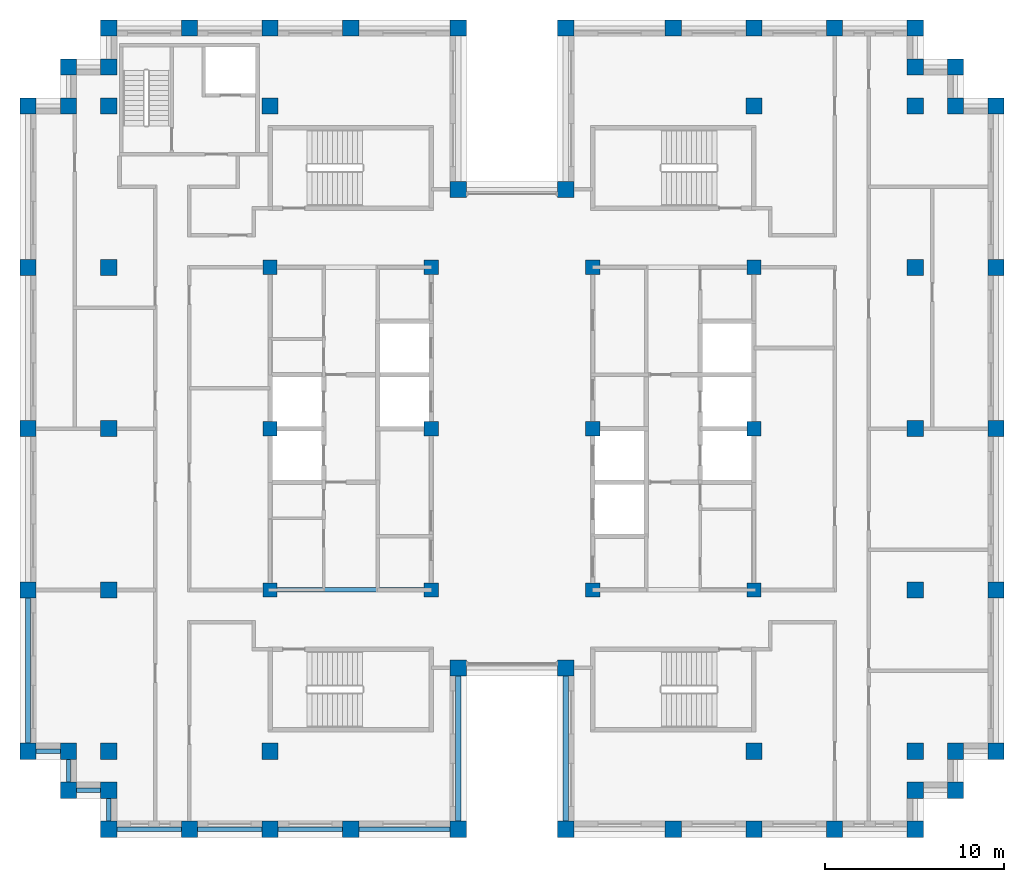
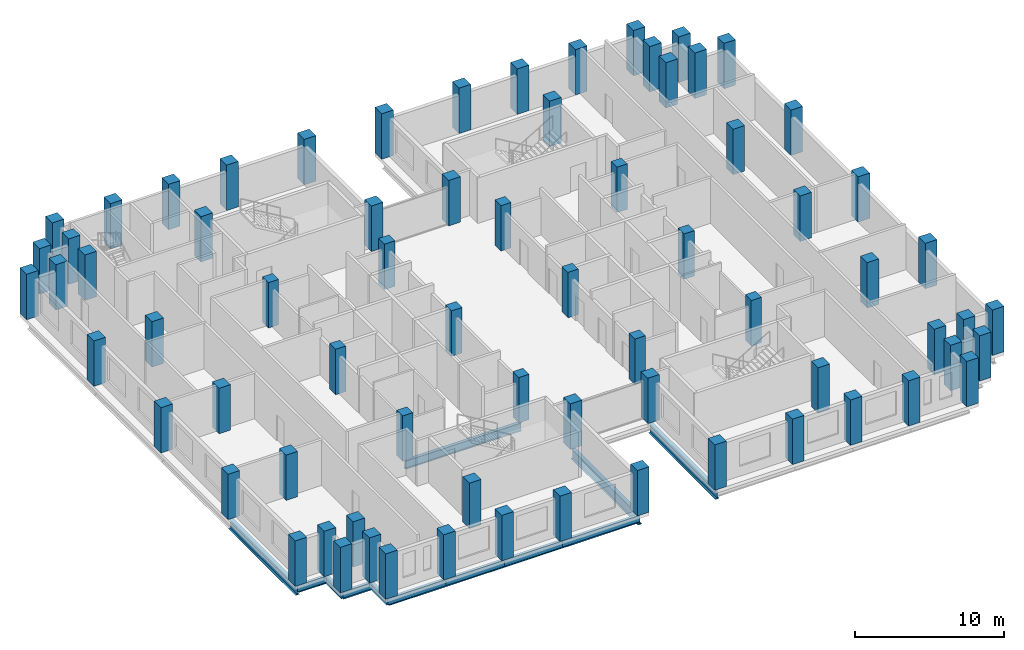
# One storey, part 1 of 13: 72 columns, 12 beams.
"""IFC4 building model written with IfcOpenShell, lengths in metres."""

import ifcopenshell
import ifcopenshell.guid

model = None  # the IFC model being written
_history = None  # IfcOwnerHistory: only IFC2X3 demands one
_inside = {}  # id of a spatial element -> (the spatial element, [elements in it])
_under = {}  # id of a project, library or spatial element -> (it, [spatial elements below it])
_declared = {}  # id of a project -> (the project, [libraries it declares])
_typed = {}  # id of a type object -> (the type object, [elements of that type])
_made_of = {}  # id of a material, layer set ... -> (it, [elements and type objects made of it])


def new_model(schema):
    """Start an empty IFC model of exactly this schema.

    Asked for "IFC4X3", IfcOpenShell would pick the latest addendum, in which some entities
    have other attributes; the version numbers below select the first issue.
    IFC2X3 requires an IfcOwnerHistory on every rooted entity: one is made here for all.
    """
    global model, _history
    if schema == "IFC4X3":
        model = ifcopenshell.file(schema_version=(4, 3, 0, 0))
    else:
        model = ifcopenshell.file(schema=schema)
    _inside.clear()
    _under.clear()
    _declared.clear()
    _typed.clear()
    _made_of.clear()
    _history = None
    if model.schema == "IFC2X3":
        org = make("IfcOrganization", Name="unknown")
        user = make(
            "IfcPersonAndOrganization",
            ThePerson=make("IfcPerson", FamilyName="unknown"),
            TheOrganization=org,
        )
        app = make(
            "IfcApplication",
            ApplicationDeveloper=org,
            Version="unknown",
            ApplicationFullName="unknown",
            ApplicationIdentifier="unknown",
        )
        _history = make(
            "IfcOwnerHistory",
            OwningUser=user,
            OwningApplication=app,
            ChangeAction="ADDED",
            CreationDate=0,
        )
    return model


def make(cls, **values):
    """One entity of the class cls with the attributes given. An attribute that is None is left unset."""
    return model.create_entity(
        cls, **{name: value for name, value in values.items() if value is not None}
    )


def rooted(cls, **values):
    """An entity with a GlobalId (a new one), such as an element, a storey or a relation."""
    return make(cls, GlobalId=ifcopenshell.guid.new(), OwnerHistory=_history, **values)


def si_unit(unit_type, name, prefix=None):
    """IfcSIUnit, for example si_unit("LENGTHUNIT", "METRE", prefix="MILLI")."""
    return make("IfcSIUnit", UnitType=unit_type, Prefix=prefix, Name=name)


def assignment(units):
    """IfcUnitAssignment: the units of a project."""
    return None if units is None else make("IfcUnitAssignment", Units=units)


def point(xyz):
    """IfcCartesianPoint."""
    return None if xyz is None else make("IfcCartesianPoint", Coordinates=xyz)


def direction(xyz):
    """IfcDirection."""
    return None if xyz is None else make("IfcDirection", DirectionRatios=xyz)


def frame(location, z_axis=None, x_axis=None):
    """IfcAxis2Placement3D, a coordinate frame: its origin and axes. An axis left out is left unset."""
    return make(
        "IfcAxis2Placement3D",
        Location=point(location),
        Axis=direction(z_axis),
        RefDirection=direction(x_axis),
    )


def frame_2d(location, x_axis=None):
    """IfcAxis2Placement2D, a coordinate frame in the plane: its origin and x axis."""
    return make(
        "IfcAxis2Placement2D", Location=point(location), RefDirection=direction(x_axis)
    )


def origin():
    """The frame at (0, 0, 0) with its axes left unset."""
    return frame((0.0, 0.0, 0.0))


def origin_2d():
    """The frame at (0, 0) in the plane with its x axis left unset."""
    return frame_2d((0.0, 0.0))


def place(relative_to, where):
    """IfcLocalPlacement: puts the frame where relative to a parent placement (None: the world)."""
    return make(
        "IfcLocalPlacement", PlacementRelTo=relative_to, RelativePlacement=where
    )


def context(
    kind, dimensions, precision=None, world=None, true_north=None, identifier=None
):
    """IfcGeometricRepresentationContext, for example the 3D "Model" context."""
    return make(
        "IfcGeometricRepresentationContext",
        ContextIdentifier=identifier,
        ContextType=kind,
        CoordinateSpaceDimension=dimensions,
        Precision=precision,
        WorldCoordinateSystem=world,
        TrueNorth=true_north,
    )


def subcontext(parent, identifier, kind, view, scale=None):
    """IfcGeometricRepresentationSubContext, for example "Body" below "Model"."""
    return make(
        "IfcGeometricRepresentationSubContext",
        ContextIdentifier=identifier,
        ContextType=kind,
        ParentContext=parent,
        TargetScale=scale,
        TargetView=view,
    )


def project(units=None, contexts=None):
    """IfcProject with its units and contexts."""
    return rooted(
        "IfcProject",
        Name="project",
        RepresentationContexts=contexts,
        UnitsInContext=assignment(units),
    )


def spatial(cls, under=None, at=None, **own):
    """A site, building, storey or space (cls), placed at a placement, below another one or the project."""
    s = rooted(cls, ObjectPlacement=at, **own)
    if under is not None:
        _under.setdefault(under.id(), (under, []))[1].append(s)
    return s


def profile(cls, at=None, kind="AREA", **sizes):
    """A parametric profile (cls). Its sizes go by their IFC names, for example OverallWidth=200.0."""
    return make(cls, ProfileType=kind, Position=at, **sizes)


def rectangle(**sizes):
    """IfcRectangleProfileDef."""
    return profile("IfcRectangleProfileDef", **sizes)


def i_section(**sizes):
    """IfcIShapeProfileDef."""
    return profile("IfcIShapeProfileDef", **sizes)


def extrude(swept, where, along, depth):
    """IfcExtrudedAreaSolid: the profile swept, set in the frame where, extruded along a direction by depth."""
    return make(
        "IfcExtrudedAreaSolid",
        SweptArea=swept,
        Position=where,
        ExtrudedDirection=direction(along),
        Depth=depth,
    )


def shape(context_of_items, identifier, shape_type, items):
    """IfcShapeRepresentation: the items that make up one representation, for example the "Body"."""
    return make(
        "IfcShapeRepresentation",
        ContextOfItems=context_of_items,
        RepresentationIdentifier=identifier,
        RepresentationType=shape_type,
        Items=items,
    )


def material(Name=None, Category=None):
    """IfcMaterial."""
    return make("IfcMaterial", Name=Name, Category=Category)


def material_profile(
    of_material, cross_section, Name=None, Category=None, Priority=None
):
    """IfcMaterialProfile: a cross section and its material."""
    return make(
        "IfcMaterialProfile",
        Name=Name,
        Material=of_material,
        Profile=cross_section,
        Priority=Priority,
        Category=Category,
    )


def profile_set(profiles, Name=None, composite=None):
    """IfcMaterialProfileSet."""
    return make(
        "IfcMaterialProfileSet",
        Name=Name,
        MaterialProfiles=profiles,
        CompositeProfile=composite,
    )


def made_of(thing, what):
    """Note that an element or type object is made of a material, layer set ...; save() writes the relation."""
    if what is not None:
        _made_of.setdefault(what.id(), (what, []))[1].append(thing)
    return thing


def type_object(cls, material=None, **own):
    """A type object (cls), such as IfcWallType, which elements share."""
    return made_of(rooted(cls, **own), material)


def element(
    cls,
    number,
    at=None,
    inside=None,
    cuts=None,
    type_object=None,
    material=None,
    context=None,
    identifier="Body",
    shape_type=None,
    held_by="IfcProductDefinitionShape",
    body=None,
    shapes=None,
    **own,
):
    """One element of the class cls, such as IfcWall. Its Tag is "e" and its number.

    at: its placement. inside: the storey or other place that contains it. cuts: it is an
    opening in that element (IfcRelVoidsElement). A single representation is given by context,
    identifier, shape_type and body (its items); several are given by shapes. held_by: the class
    of the entity that holds the representations. save() writes the other relations.
    """
    e = rooted(cls, Tag="e%d" % number, ObjectPlacement=at, **own)
    if body is not None:
        shapes = [shape(context, identifier, shape_type, body)]
    if shapes is not None:
        e.Representation = make(held_by, Representations=shapes)
    if inside is not None:
        _inside.setdefault(inside.id(), (inside, []))[1].append(e)
    if cuts is not None:
        rooted(
            "IfcRelVoidsElement", RelatingBuildingElement=cuts, RelatedOpeningElement=e
        )
    if type_object is not None:
        _typed.setdefault(type_object.id(), (type_object, []))[1].append(e)
    return made_of(e, material)


def aggregate(whole, parts):
    """IfcRelAggregates: a whole, such as a stair, and the parts it consists of."""
    return rooted("IfcRelAggregates", RelatingObject=whole, RelatedObjects=parts)


def save(model, path):
    """Write the relations noted so far, then the file.

    IfcRelAggregates (storeys below a building ...), IfcRelContainedInSpatialStructure (elements
    in a storey), IfcRelDefinesByType, IfcRelAssociatesMaterial and IfcRelDeclares: one each for
    every whole, place, type object, material and project.
    """
    for whole, parts in _under.values():
        aggregate(whole, parts)
    for where, things in _inside.values():
        rooted(
            "IfcRelContainedInSpatialStructure",
            RelatedElements=things,
            RelatingStructure=where,
        )
    for kind, things in _typed.values():
        rooted("IfcRelDefinesByType", RelatedObjects=things, RelatingType=kind)
    for what, things in _made_of.values():
        rooted("IfcRelAssociatesMaterial", RelatedObjects=things, RelatingMaterial=what)
    for by, libraries in _declared.values():
        rooted("IfcRelDeclares", RelatingContext=by, RelatedDefinitions=libraries)
    model.write(path)


model = new_model("IFC4")

# Units and contexts
model_context = context("Model", 3, precision=1e-05, world=origin(), true_north=direction((0.0, 1.0)))
body_context = subcontext(model_context, "Body", "Model", "MODEL_VIEW")
ifc_project = project(units=[si_unit("LENGTHUNIT", "METRE"), si_unit("AREAUNIT", "SQUARE_METRE"), si_unit("VOLUMEUNIT", "CUBIC_METRE"), si_unit("PLANEANGLEUNIT", "RADIAN"), si_unit("MASSUNIT", "GRAM", prefix="KILO")], contexts=[model_context])

# Site, building, storey
site_placement = place(None, origin())
site = spatial("IfcSite", under=ifc_project, at=site_placement, CompositionType="ELEMENT")
building_placement = place(site_placement, origin())
building = spatial("IfcBuilding", under=site, at=building_placement, Name="Corbelhall Arena Tower", CompositionType="ELEMENT")
storey_placement = place(building_placement, frame((0.0, 0.0, 250.0)))
storey = spatial("IfcBuildingStorey", under=building, at=storey_placement, Name="L53", CompositionType="ELEMENT", Elevation=250.0)

# Columns
ifc_material_1 = material(Name="Concrete C80/95", Category="concrete")
ifc_material_profile_1 = material_profile(ifc_material_1, rectangle(XDim=0.800048828125, YDim=0.800048828125, at=origin_2d()))
ifc_profile_set_1 = profile_set([ifc_material_profile_1], Name="Concrete C80/95")
column_type_1 = type_object("IfcColumnType", Name="ST-COL-RC 800x800", PredefinedType="COLUMN", material=ifc_profile_set_1)
for number, where, z_axis, x_axis, name in (
    (1, (4.5, 0.0, 0.0), (0.0, 0.0, 1.0), (1.0, 0.0, 0.0), "Column KE+0450+0000"),
    (2, (4.5, 9.0, 0.0), (0.0, 0.0, 1.0), (1.0, 0.0, 0.0), "Column KE+0450+0900"),
    (3, (4.5, -9.0, 0.0), (0.0, 0.0, 1.0), (1.0, 0.0, 0.0), "Column KE+0450-0900"),
    (4, (13.5, 0.0, 0.0), (0.0, 0.0, 1.0), (1.0, 0.0, 0.0), "Column KE+1350+0000"),
    (5, (13.5, 9.0, 0.0), (0.0, 0.0, 1.0), (1.0, 0.0, 0.0), "Column KE+1350+0900"),
    (6, (13.5, -9.0, 0.0), (0.0, 0.0, 1.0), (1.0, 0.0, 0.0), "Column KE+1350-0900"),
    (7, (-4.5, 0.0, 0.0), (0.0, 0.0, 1.0), (1.0, 0.0, 0.0), "Column KW-0450+0000"),
    (8, (-4.5, 9.0, 0.0), (0.0, 0.0, 1.0), (1.0, 0.0, 0.0), "Column KW-0450+0900"),
    (9, (-4.5, -9.0, 0.0), (0.0, 0.0, 1.0), (1.0, 0.0, 0.0), "Column KW-0450-0900"),
    (10, (-13.5, 0.0, 0.0), (0.0, 0.0, 1.0), (1.0, 0.0, 0.0), "Column KW-1350+0000"),
    (11, (-13.5, 9.0, 0.0), (0.0, 0.0, 1.0), (1.0, 0.0, 0.0), "Column KW-1350+0900"),
    (12, (-13.5, -9.0, 0.0), (0.0, 0.0, 1.0), (1.0, 0.0, 0.0), "Column KW-1350-0900"),
):
    element("IfcColumn", number, at=place(storey_placement, frame(where, z_axis=z_axis, x_axis=x_axis)), inside=storey, type_object=column_type_1, Name=name, PredefinedType="COLUMN", context=body_context, shape_type="SweptSolid", body=[
        extrude(rectangle(XDim=0.800048828125, YDim=0.800048828125, at=origin_2d()), origin(), (0.0, 0.0, 1.0), 3.719970703125),
    ])
ifc_material_profile_2 = material_profile(ifc_material_1, rectangle(XDim=0.89990234375, YDim=0.89990234375, at=origin_2d()))
ifc_profile_set_2 = profile_set([ifc_material_profile_2], Name="Concrete C80/95")
column_type_2 = type_object("IfcColumnType", Name="ST-COL-RC 900x900", PredefinedType="COLUMN", material=ifc_profile_set_2)
for number, where, z_axis, x_axis, name in (
    (13, (13.5, 18.0, 0.0), (0.0, 0.0, 1.0), (1.0, 0.0, 0.0), "Column IE13+1800"),
    (14, (13.5, -18.0, 0.0), (0.0, 0.0, 1.0), (1.0, 0.0, 0.0), "Column IE13-1800"),
    (15, (22.5, 0.0, 0.0), (0.0, 0.0, 1.0), (1.0, 0.0, 0.0), "Column IE22+0000"),
    (16, (22.5, 9.0, 0.0), (0.0, 0.0, 1.0), (1.0, 0.0, 0.0), "Column IE22+0900"),
    (17, (22.5, 18.0, 0.0), (0.0, 0.0, 1.0), (1.0, 0.0, 0.0), "Column IE22+1800"),
    (18, (22.5, -9.0, 0.0), (0.0, 0.0, 1.0), (1.0, 0.0, 0.0), "Column IE22-0900"),
    (19, (22.5, -18.0, 0.0), (0.0, 0.0, 1.0), (1.0, 0.0, 0.0), "Column IE22-1800"),
    (20, (-13.5, 18.0, 0.0), (0.0, 0.0, 1.0), (1.0, 0.0, 0.0), "Column IW13+1800"),
    (21, (-13.5, -18.0, 0.0), (0.0, 0.0, 1.0), (1.0, 0.0, 0.0), "Column IW13-1800"),
    (22, (-22.5, 0.0, 0.0), (0.0, 0.0, 1.0), (1.0, 0.0, 0.0), "Column IW22+0000"),
    (23, (-22.5, 9.0, 0.0), (0.0, 0.0, 1.0), (1.0, 0.0, 0.0), "Column IW22+0900"),
    (24, (-22.5, 18.0, 0.0), (0.0, 0.0, 1.0), (1.0, 0.0, 0.0), "Column IW22+1800"),
    (25, (-22.5, -9.0, 0.0), (0.0, 0.0, 1.0), (1.0, 0.0, 0.0), "Column IW22-0900"),
    (26, (-22.5, -18.0, 0.0), (0.0, 0.0, 1.0), (1.0, 0.0, 0.0), "Column IW22-1800"),
    (27, (27.0, 0.0, 0.0), (0.0, 0.0, 1.0), (0.0, 1.0, 0.0), "Column PE+0000"),
    (28, (27.0, 9.0, 0.0), (0.0, 0.0, 1.0), (0.0, 1.0, 0.0), "Column PE+0900"),
    (29, (27.0, 18.0, 0.0), (0.0, 0.0, 1.0), (0.0, 1.0, 0.0), "Column PE+1800"),
    (30, (27.0, -9.0, 0.0), (0.0, 0.0, 1.0), (0.0, 1.0, 0.0), "Column PE-0900"),
    (31, (27.0, -18.0, 0.0), (0.0, 0.0, 1.0), (0.0, 1.0, 0.0), "Column PE-1800"),
    (32, (3.0, 22.35009765625, 0.0), (0.0, 0.0, 1.0), (1.0, 0.0, 0.0), "Column PNE0300"),
    (33, (9.0, 22.35009765625, 0.0), (0.0, 0.0, 1.0), (1.0, 0.0, 0.0), "Column PNE0900"),
    (34, (13.5, 22.35009765625, 0.0), (0.0, 0.0, 1.0), (1.0, 0.0, 0.0), "Column PNE1350"),
    (35, (18.0, 22.35009765625, 0.0), (0.0, 0.0, 1.0), (1.0, 0.0, 0.0), "Column PNE1800"),
    (36, (22.5, 22.35009765625, 0.0), (0.0, 0.0, 1.0), (1.0, 0.0, 0.0), "Column PNE2250"),
    (37, (-3.0, 22.35009765625, 0.0), (0.0, 0.0, 1.0), (1.0, 0.0, 0.0), "Column PNW0300"),
    (38, (-9.0, 22.35009765625, 0.0), (0.0, 0.0, 1.0), (1.0, 0.0, 0.0), "Column PNW0900"),
    (39, (-13.5, 22.35009765625, 0.0), (0.0, 0.0, 1.0), (1.0, 0.0, 0.0), "Column PNW1350"),
    (40, (-18.0, 22.35009765625, 0.0), (0.0, 0.0, 1.0), (1.0, 0.0, 0.0), "Column PNW1800"),
    (41, (-22.5, 22.35009765625, 0.0), (0.0, 0.0, 1.0), (1.0, 0.0, 0.0), "Column PNW2250"),
    (42, (3.0, -22.35009765625, 0.0), (0.0, 0.0, 1.0), (1.0, 0.0, 0.0), "Column PSE0300"),
    (43, (9.0, -22.35009765625, 0.0), (0.0, 0.0, 1.0), (1.0, 0.0, 0.0), "Column PSE0900"),
    (44, (13.5, -22.35009765625, 0.0), (0.0, 0.0, 1.0), (1.0, 0.0, 0.0), "Column PSE1350"),
    (45, (18.0, -22.35009765625, 0.0), (0.0, 0.0, 1.0), (1.0, 0.0, 0.0), "Column PSE1800"),
    (46, (22.5, -22.35009765625, 0.0), (0.0, 0.0, 1.0), (1.0, 0.0, 0.0), "Column PSE2250"),
    (47, (-3.0, -22.35009765625, 0.0), (0.0, 0.0, 1.0), (1.0, 0.0, 0.0), "Column PSW0300"),
    (48, (-9.0, -22.35009765625, 0.0), (0.0, 0.0, 1.0), (1.0, 0.0, 0.0), "Column PSW0900"),
    (49, (-13.5, -22.35009765625, 0.0), (0.0, 0.0, 1.0), (1.0, 0.0, 0.0), "Column PSW1350"),
    (50, (-18.0, -22.35009765625, 0.0), (0.0, 0.0, 1.0), (1.0, 0.0, 0.0), "Column PSW1800"),
    (51, (-22.5, -22.35009765625, 0.0), (0.0, 0.0, 1.0), (1.0, 0.0, 0.0), "Column PSW2250"),
    (52, (-27.0, 0.0, 0.0), (0.0, 0.0, 1.0), (0.0, 1.0, 0.0), "Column PW+0000"),
    (53, (-27.0, 9.0, 0.0), (0.0, 0.0, 1.0), (0.0, 1.0, 0.0), "Column PW+0900"),
    (54, (-27.0, 18.0, 0.0), (0.0, 0.0, 1.0), (0.0, 1.0, 0.0), "Column PW+1800"),
    (55, (-27.0, -9.0, 0.0), (0.0, 0.0, 1.0), (0.0, 1.0, 0.0), "Column PW-0900"),
    (56, (-27.0, -18.0, 0.0), (0.0, 0.0, 1.0), (0.0, 1.0, 0.0), "Column PW-1800"),
    (57, (3.0, 13.35009765625, 0.0), (0.0, 0.0, 1.0), (1.0, 0.0, 0.0), "Column SLNE2"),
    (58, (-3.0, 13.35009765625, 0.0), (0.0, 0.0, 1.0), (1.0, 0.0, 0.0), "Column SLNW2"),
    (59, (3.0, -13.35009765625, 0.0), (0.0, 0.0, 1.0), (1.0, 0.0, 0.0), "Column SLSE2"),
    (60, (-3.0, -13.35009765625, 0.0), (0.0, 0.0, 1.0), (1.0, 0.0, 0.0), "Column SLSW2"),
    (61, (22.5, 20.175048828125, 0.0), (0.0, 0.0, 1.0), (1.0, 0.0, 0.0), "Column XNE1"),
    (62, (24.75, 20.175048828125, 0.0), (0.0, 0.0, 1.0), (1.0, 0.0, 0.0), "Column XNE2"),
    (63, (24.75, 18.0, 0.0), (0.0, 0.0, 1.0), (1.0, 0.0, 0.0), "Column XNE3"),
    (64, (-22.5, 20.175048828125, 0.0), (0.0, 0.0, 1.0), (1.0, 0.0, 0.0), "Column XNW1"),
    (65, (-24.75, 20.175048828125, 0.0), (0.0, 0.0, 1.0), (1.0, 0.0, 0.0), "Column XNW2"),
    (66, (-24.75, 18.0, 0.0), (0.0, 0.0, 1.0), (1.0, 0.0, 0.0), "Column XNW3"),
    (67, (22.5, -20.175048828125, 0.0), (0.0, 0.0, 1.0), (1.0, 0.0, 0.0), "Column XSE1"),
    (68, (24.75, -20.175048828125, 0.0), (0.0, 0.0, 1.0), (1.0, 0.0, 0.0), "Column XSE2"),
    (69, (24.75, -18.0, 0.0), (0.0, 0.0, 1.0), (1.0, 0.0, 0.0), "Column XSE3"),
    (70, (-22.5, -20.175048828125, 0.0), (0.0, 0.0, 1.0), (1.0, 0.0, 0.0), "Column XSW1"),
    (71, (-24.75, -20.175048828125, 0.0), (0.0, 0.0, 1.0), (1.0, 0.0, 0.0), "Column XSW2"),
    (72, (-24.75, -18.0, 0.0), (0.0, 0.0, 1.0), (1.0, 0.0, 0.0), "Column XSW3"),
):
    element("IfcColumn", number, at=place(storey_placement, frame(where, z_axis=z_axis, x_axis=x_axis)), inside=storey, type_object=column_type_2, Name=name, PredefinedType="COLUMN", context=body_context, shape_type="SweptSolid", body=[
        extrude(rectangle(XDim=0.89990234375, YDim=0.89990234375, at=origin_2d()), origin(), (0.0, 0.0, 1.0), 3.719970703125),
    ])

# Beams
ifc_material_2 = material(Name="Steel ASTM A992 Gr50", Category="steel")
ifc_material_profile_3 = material_profile(ifc_material_2, i_section(OverallWidth=0.25390625, OverallDepth=0.67822265625, WebThickness=0.01171875, FlangeThickness=0.016357421875, at=origin_2d()))
ifc_profile_set_3 = profile_set([ifc_material_profile_3], Name="Steel ASTM A992 Gr50")
beam_type_1 = type_object("IfcBeamType", Name="ST-BEAM-W27x84", PredefinedType="BEAM", material=ifc_profile_set_3)
beam_1_placement = place(storey_placement, frame((-13.5, -9.0, -0.619140625), z_axis=(1.0, 0.0, 0.0), x_axis=(0.0, 1.0, 0.0)))
element("IfcBeam", 73, at=beam_1_placement, inside=storey, type_object=beam_type_1, Name="Beam CEW 5", PredefinedType="BEAM", context=body_context, shape_type="SweptSolid", body=[
    extrude(i_section(OverallWidth=0.25390625, OverallDepth=0.67822265625, WebThickness=0.01171875, FlangeThickness=0.016357421875, at=origin_2d()), origin(), (0.0, 0.0, 1.0), 9.0),
])
ifc_material_profile_4 = material_profile(ifc_material_2, i_section(OverallWidth=0.227783203125, OverallDepth=0.60205078125, WebThickness=0.010498046875, FlangeThickness=0.014892578125, at=origin_2d()))
ifc_profile_set_4 = profile_set([ifc_material_profile_4], Name="Steel ASTM A992 Gr50")
beam_type_2 = type_object("IfcBeamType", Name="ST-SPANDREL-W24x68", PredefinedType="SPANDREL", material=ifc_profile_set_4)
beam_2_placement = place(storey_placement, frame((-3.0, -22.35009765625, -0.5810546875), z_axis=(-1.0, 0.0, 0.0), x_axis=(0.0, -1.0, 0.0)))
element("IfcBeam", 74, at=beam_2_placement, inside=storey, type_object=beam_type_2, Name="Beam SP 21", PredefinedType="SPANDREL", context=body_context, shape_type="SweptSolid", body=[
    extrude(i_section(OverallWidth=0.227783203125, OverallDepth=0.60205078125, WebThickness=0.010498046875, FlangeThickness=0.014892578125, at=origin_2d()), origin(), (0.0, 0.0, 1.0), 6.0),
])
for number, where, z_axis, x_axis, name in (
    (75, (-9.0, -22.35009765625, -0.5810546875), (-1.0, 0.0, 0.0), (0.0, -1.0, 0.0), "Beam SP 22"),
    (76, (-13.5, -22.35009765625, -0.5810546875), (-1.0, 0.0, 0.0), (0.0, -1.0, 0.0), "Beam SP 23"),
    (77, (-18.0, -22.35009765625, -0.5810546875), (-1.0, 0.0, 0.0), (0.0, -1.0, 0.0), "Beam SP 24"),
):
    element("IfcBeam", number, at=place(storey_placement, frame(where, z_axis=z_axis, x_axis=x_axis)), inside=storey, type_object=beam_type_2, Name=name, PredefinedType="SPANDREL", context=body_context, shape_type="SweptSolid", body=[
        extrude(i_section(OverallWidth=0.227783203125, OverallDepth=0.60205078125, WebThickness=0.010498046875, FlangeThickness=0.014892578125, at=origin_2d()), origin(), (0.0, 0.0, 1.0), 4.5),
    ])
beam_3_placement = place(storey_placement, frame((-22.5, -22.35009765625, -0.5810546875), z_axis=(0.0, 1.0, 0.0), x_axis=(-1.0, 0.0, 0.0)))
element("IfcBeam", 78, at=beam_3_placement, inside=storey, type_object=beam_type_2, Name="Beam SP 25", PredefinedType="SPANDREL", context=body_context, shape_type="SweptSolid", body=[
    extrude(i_section(OverallWidth=0.227783203125, OverallDepth=0.60205078125, WebThickness=0.010498046875, FlangeThickness=0.014892578125, at=origin_2d()), origin(), (0.0, 0.0, 1.0), 2.175048828125),
])
beam_4_placement = place(storey_placement, frame((-22.5, -20.175048828125, -0.5810546875), z_axis=(-1.0, 0.0, 0.0), x_axis=(0.0, -1.0, 0.0)))
element("IfcBeam", 79, at=beam_4_placement, inside=storey, type_object=beam_type_2, Name="Beam SP 44", PredefinedType="SPANDREL", context=body_context, shape_type="SweptSolid", body=[
    extrude(i_section(OverallWidth=0.227783203125, OverallDepth=0.60205078125, WebThickness=0.010498046875, FlangeThickness=0.014892578125, at=origin_2d()), origin(), (0.0, 0.0, 1.0), 2.25),
])
beam_5_placement = place(storey_placement, frame((-24.75, -20.175048828125, -0.5810546875), z_axis=(0.0, 1.0, 0.0), x_axis=(-1.0, 0.0, 0.0)))
element("IfcBeam", 80, at=beam_5_placement, inside=storey, type_object=beam_type_2, Name="Beam SP 45", PredefinedType="SPANDREL", context=body_context, shape_type="SweptSolid", body=[
    extrude(i_section(OverallWidth=0.227783203125, OverallDepth=0.60205078125, WebThickness=0.010498046875, FlangeThickness=0.014892578125, at=origin_2d()), origin(), (0.0, 0.0, 1.0), 2.175048828125),
])
beam_6_placement = place(storey_placement, frame((-24.75, -18.0, -0.5810546875), z_axis=(-1.0, 0.0, 0.0), x_axis=(0.0, -1.0, 0.0)))
element("IfcBeam", 81, at=beam_6_placement, inside=storey, type_object=beam_type_2, Name="Beam SP 46", PredefinedType="SPANDREL", context=body_context, shape_type="SweptSolid", body=[
    extrude(i_section(OverallWidth=0.227783203125, OverallDepth=0.60205078125, WebThickness=0.010498046875, FlangeThickness=0.014892578125, at=origin_2d()), origin(), (0.0, 0.0, 1.0), 2.25),
])
ifc_material_profile_5 = material_profile(ifc_material_2, i_section(OverallWidth=0.2919921875, OverallDepth=0.845703125, WebThickness=0.015380859375, FlangeThickness=0.0244140625, at=origin_2d()))
ifc_profile_set_5 = profile_set([ifc_material_profile_5], Name="Steel ASTM A992 Gr50")
beam_type_3 = type_object("IfcBeamType", Name="ST-SPANDREL-W33x141", PredefinedType="SPANDREL", material=ifc_profile_set_5)
for number, where, z_axis, x_axis, name in (
    (82, (3.0, -22.35009765625, -0.702880859375), (0.0, 1.0, 0.0), (-1.0, 0.0, 0.0), "Beam SP 16"),
    (83, (-27.0, -18.0, -0.702880859375), (0.0, 1.0, 0.0), (-1.0, 0.0, 0.0), "Beam SP 30"),
    (84, (-3.0, -13.35009765625, -0.702880859375), (0.0, -1.0, 0.0), (1.0, 0.0, 0.0), "Beam SP 34"),
):
    element("IfcBeam", number, at=place(storey_placement, frame(where, z_axis=z_axis, x_axis=x_axis)), inside=storey, type_object=beam_type_3, Name=name, PredefinedType="SPANDREL", context=body_context, shape_type="SweptSolid", body=[
        extrude(i_section(OverallWidth=0.2919921875, OverallDepth=0.845703125, WebThickness=0.015380859375, FlangeThickness=0.0244140625, at=origin_2d()), origin(), (0.0, 0.0, 1.0), 9.0),
    ])

save(model, "model.ifc")
